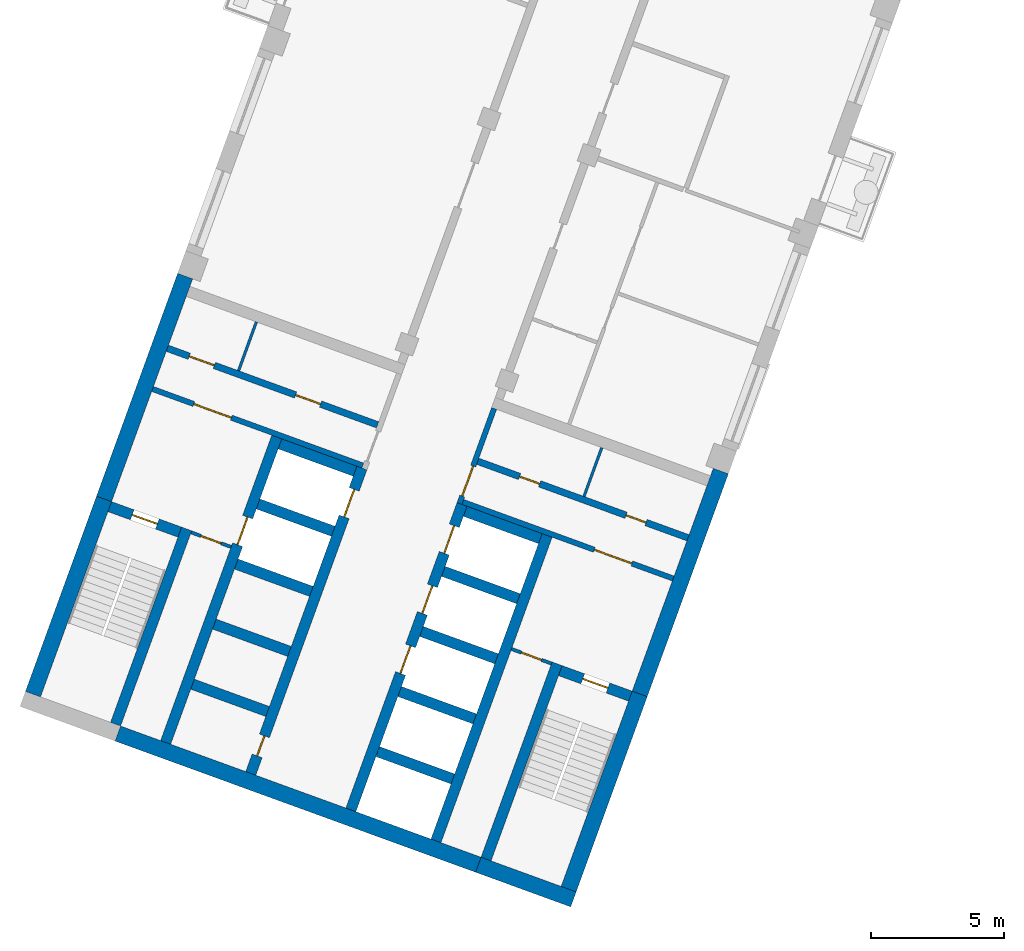
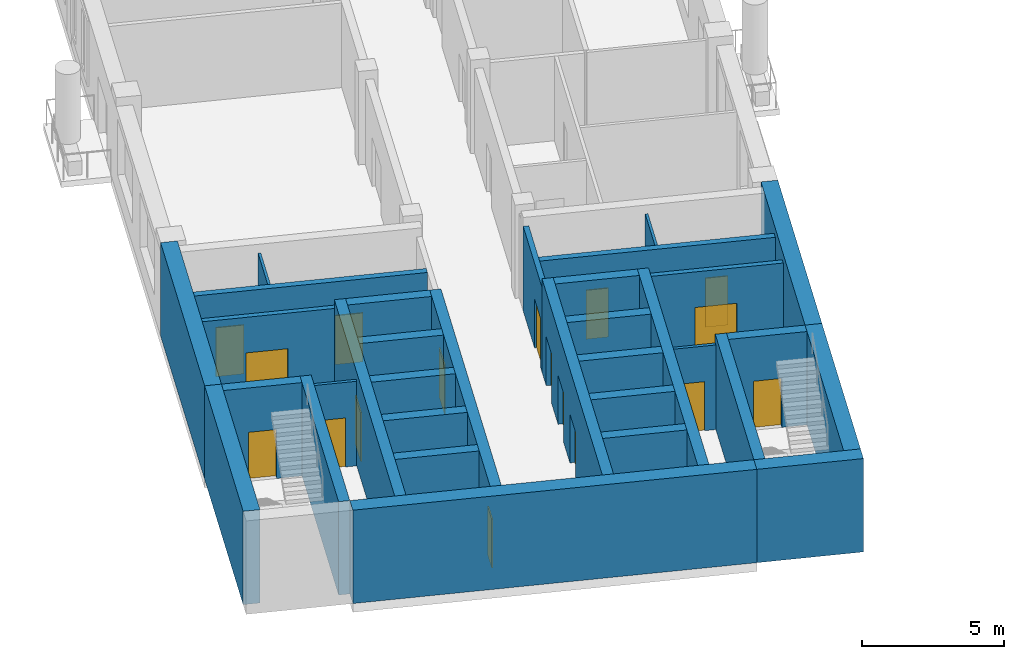
# One storey, part 4 of 18: 33 walls, 17 doors, 17 openings.
"""IFC4 building model written with IfcOpenShell, lengths in metres."""

from ifc_helpers import new_model, si_unit, direction, frame, frame_2d, origin, place, context, subcontext, project, spatial, rectangle, extrude, material, layer, layer_set, type_object, element, fill, save


model = new_model("IFC4")

# Units and contexts
model_context = context("Model", 3, precision=1e-05, world=origin(), true_north=direction((0.0, 1.0)))
body_context = subcontext(model_context, "Body", "Model", "MODEL_VIEW")
ifc_project = project(units=[si_unit("LENGTHUNIT", "METRE"), si_unit("AREAUNIT", "SQUARE_METRE"), si_unit("VOLUMEUNIT", "CUBIC_METRE"), si_unit("PLANEANGLEUNIT", "RADIAN"), si_unit("MASSUNIT", "GRAM", prefix="KILO")], contexts=[model_context])

# Site, building, storey
site_placement = place(None, origin())
site = spatial("IfcSite", under=ifc_project, at=site_placement, CompositionType="ELEMENT")
building_placement = place(site_placement, origin())
building = spatial("IfcBuilding", under=site, at=building_placement, Name="Skarvind Civic Tower", CompositionType="ELEMENT")
storey_placement = place(building_placement, frame((0.0, 0.0, 31.5)))
storey = spatial("IfcBuildingStorey", under=building, at=storey_placement, Name="L06", CompositionType="ELEMENT", Elevation=31.5)

# Wall, opening, door
ifc_material_1 = material(Name="Fire-rated masonry partition", Category="masonry")
ifc_layer_1 = layer(ifc_material_1, 0.199951171875)
ifc_layer_set_1 = layer_set([ifc_layer_1], Name="Core enclosure wall 200")
wall_type_1 = type_object("IfcWallType", Name="Core enclosure wall 200", PredefinedType="PARTITIONING", material=ifc_layer_set_1)
wall_1_placement = place(storey_placement, frame((23.5380859375, 96.6943359375, 0.0), z_axis=(0.0, 0.0, 1.0), x_axis=(0.939691552312, -0.342023078919, 0.0)))
wall_1 = element("IfcWall", 1, at=wall_1_placement, inside=storey, type_object=wall_type_1, Name="Core wall C2", PredefinedType="PARTITIONING", context=body_context, shape_type="SweptSolid", body=[
    extrude(rectangle(XDim=8.400146484375, YDim=0.199951171875, at=frame_2d((4.2001953125, 0.0))), origin(), (0.0, 0.0, 1.0), 3.625),
])
opening_1_placement = place(wall_1_placement, frame((1.64990234375, 0.0, 0.0)))
opening_1 = element("IfcOpeningElement", 2, at=opening_1_placement, cuts=wall_1, Name="Opening D-L06-C2-07", PredefinedType="OPENING", context=body_context, shape_type="SweptSolid", body=[
    extrude(rectangle(XDim=1.5, YDim=2.10009765625, at=frame_2d((0.75, 1.050048828125))), frame((0.0, 0.10986328125, 0.0), z_axis=(0.0, -1.0, 0.0), x_axis=(1.0, 0.0, 0.0)), (0.0, 0.0, 1.0), 0.219970703125),
])
ifc_material_2 = material(Name="Fire-rated steel door", Category="steel")
door_type_1 = type_object("IfcDoorType", Name="Fire door 1500", OperationType="NOTDEFINED", PredefinedType="DOOR", material=ifc_material_2)
door_1_placement = place(opening_1_placement, origin())
door_1 = element("IfcDoor", 3, at=door_1_placement, inside=storey, type_object=door_type_1, Name="Fire door", OperationType="DOUBLE_DOOR_SINGLE_SWING", OverallHeight=2.10009765625, OverallWidth=1.5, PredefinedType="DOOR", context=body_context, shape_type="SweptSolid", body=[
    extrude(rectangle(XDim=1.5, YDim=2.10009765625, at=frame_2d((0.75, 1.050048828125))), frame((0.0, 0.02490234375, 0.0), z_axis=(0.0, -1.0, 0.0), x_axis=(1.0, 0.0, 0.0)), (0.0, 0.0, 1.0), 0.050048828125),
])
fill(opening_1, door_1)

wall_2_placement = place(storey_placement, frame((36.36181640625, 95.96435546875, 0.0), z_axis=(0.0, 0.0, 1.0), x_axis=(-0.341995824804, -0.939701471648, 0.0)))
wall_2 = element("IfcWall", 4, at=wall_2_placement, inside=storey, type_object=wall_type_1, Name="Core wall C2", PredefinedType="PARTITIONING", context=body_context, shape_type="SweptSolid", body=[
    extrude(rectangle(XDim=3.800048828125, YDim=0.199951171875, at=frame_2d((1.89990234375, 0.0))), origin(), (0.0, 0.0, 1.0), 3.625),
])
opening_2_placement = place(wall_2_placement, frame((2.300048828125, 0.0, 0.0)))
opening_2 = element("IfcOpeningElement", 5, at=opening_2_placement, cuts=wall_2, Name="Opening D-L06-C2-12", PredefinedType="OPENING", context=body_context, shape_type="SweptSolid", body=[
    extrude(rectangle(XDim=1.199951171875, YDim=2.10009765625, at=frame_2d((0.60009765625, 1.050048828125))), frame((0.0, 0.10986328125, 0.0), z_axis=(0.0, -1.0, 0.0), x_axis=(1.0, 0.0, 0.0)), (0.0, 0.0, 1.0), 0.219970703125),
])
door_type_2 = type_object("IfcDoorType", Name="Core lobby door 1200", OperationType="NOTDEFINED", PredefinedType="DOOR", material=ifc_material_2)
door_2_placement = place(opening_2_placement, origin())
door_2 = element("IfcDoor", 6, at=door_2_placement, inside=storey, type_object=door_type_2, Name="Fire door", OperationType="DOUBLE_DOOR_SINGLE_SWING", OverallHeight=2.10009765625, OverallWidth=1.199951171875, PredefinedType="DOOR", context=body_context, shape_type="SweptSolid", body=[
    extrude(rectangle(XDim=1.199951171875, YDim=2.10009765625, at=frame_2d((0.60009765625, 1.050048828125))), frame((0.0, 0.02490234375, 0.0), z_axis=(0.0, -1.0, 0.0), x_axis=(1.0, 0.0, 0.0)), (0.0, 0.0, 1.0), 0.050048828125),
])
fill(opening_2, door_2)

wall_3_placement = place(storey_placement, frame((35.1904296875, 92.453369140625, 0.0), z_axis=(0.0, 0.0, 1.0), x_axis=(0.939691552312, -0.342023078919, 0.0)))
wall_3 = element("IfcWall", 7, at=wall_3_placement, inside=storey, type_object=wall_type_1, Name="Core wall C2", PredefinedType="PARTITIONING", context=body_context, shape_type="SweptSolid", body=[
    extrude(rectangle(XDim=8.400146484375, YDim=0.199951171875, at=frame_2d((4.2001953125, 0.0))), origin(), (0.0, 0.0, 1.0), 3.625),
])
opening_3_placement = place(wall_3_placement, frame((5.25, 0.0, 0.0)))
opening_3 = element("IfcOpeningElement", 8, at=opening_3_placement, cuts=wall_3, Name="Opening D-L06-C2-13", PredefinedType="OPENING", context=body_context, shape_type="SweptSolid", body=[
    extrude(rectangle(XDim=1.5, YDim=2.10009765625, at=frame_2d((0.75, 1.050048828125))), frame((0.0, 0.10986328125, 0.0), z_axis=(0.0, -1.0, 0.0), x_axis=(1.0, 0.0, 0.0)), (0.0, 0.0, 1.0), 0.219970703125),
])
door_3_placement = place(opening_3_placement, origin())
door_3 = element("IfcDoor", 9, at=door_3_placement, inside=storey, type_object=door_type_1, Name="Fire door", OperationType="DOUBLE_DOOR_SINGLE_SWING", OverallHeight=2.10009765625, OverallWidth=1.5, PredefinedType="DOOR", context=body_context, shape_type="SweptSolid", body=[
    extrude(rectangle(XDim=1.5, YDim=2.10009765625, at=frame_2d((0.75, 1.050048828125))), frame((0.0, 0.02490234375, 0.0), z_axis=(0.0, -1.0, 0.0), x_axis=(1.0, 0.0, 0.0)), (0.0, 0.0, 1.0), 0.050048828125),
])
fill(opening_3, door_3)

# Walls
ifc_material_3 = material(Name="Fire-rated plasterboard partition")
ifc_layer_2 = layer(ifc_material_3, 0.10009765625)
ifc_layer_set_2 = layer_set([ifc_layer_2], Name="Core partition wall 100")
wall_type_2 = type_object("IfcWallType", Name="Core partition wall 100", PredefinedType="PARTITIONING", material=ifc_layer_set_2)
wall_4_placement = place(storey_placement, frame((26.767822265625, 97.381103515625, 0.0), z_axis=(0.0, 0.0, 1.0), x_axis=(0.342024501273, 0.939691034611, 0.0)))
element("IfcWall", 10, at=wall_4_placement, inside=storey, type_object=wall_type_2, Name="Core wall C2", PredefinedType="PARTITIONING", context=body_context, shape_type="SweptSolid", body=[
    extrude(rectangle(XDim=1.9501953125, YDim=0.10009765625, at=frame_2d((0.97509765625, 0.0))), origin(), (0.0, 0.0, 1.0), 3.625),
])
wall_5_placement = place(storey_placement, frame((40.402587890625, 94.49365234375, 0.0), z_axis=(0.0, 0.0, 1.0), x_axis=(-0.342064742067, -0.939676386973, 0.0)))
element("IfcWall", 11, at=wall_5_placement, inside=storey, type_object=wall_type_2, Name="Core wall C2", PredefinedType="PARTITIONING", context=body_context, shape_type="SweptSolid", body=[
    extrude(rectangle(XDim=1.949951171875, YDim=0.10009765625, at=frame_2d((0.97509765625, 0.0))), origin(), (0.0, 0.0, 1.0), 3.625),
])
ifc_material_4 = material(Name="Concrete C80", Category="concrete")
ifc_layer_3 = layer(ifc_material_4, 0.39990234375)
ifc_layer_set_3 = layer_set([ifc_layer_3], Name="Core wall 400 C80")
wall_type_3 = type_object("IfcWallType", Name="Core wall 400 C80", PredefinedType="SHEAR", material=ifc_layer_set_3)
wall_6_placement = place(storey_placement, frame((36.057861328125, 79.04833984375, 0.0), z_axis=(0.0, 0.0, 1.0), x_axis=(0.342016982193, 0.939693771338, 0.0)))
element("IfcWall", 12, at=wall_6_placement, inside=storey, type_object=wall_type_3, Name="Core wall C2 south stair inner L06", PredefinedType="SHEAR", context=body_context, shape_type="SweptSolid", body=[
    extrude(rectangle(XDim=7.800048828125, YDim=0.39990234375, at=frame_2d((3.89990234375, 0.0))), origin(), (0.0, 0.0, 1.0), 4.0),
])

# Wall, opening, door
wall_7_placement = place(storey_placement, frame((41.476318359375, 85.163818359375, 0.0), z_axis=(0.0, 0.0, 1.0), x_axis=(-0.939678810556, 0.342058084236, 0.0)))
wall_7 = element("IfcWall", 13, at=wall_7_placement, inside=storey, type_object=wall_type_3, Name="Core wall C2 south stair end L06", PredefinedType="SHEAR", context=body_context, shape_type="SweptSolid", body=[
    extrude(rectangle(XDim=2.800048828125, YDim=0.39990234375, at=frame_2d((1.39990234375, 0.0))), origin(), (0.0, 0.0, 1.0), 4.0),
])
opening_4_placement = place(wall_7_placement, frame((0.89990234375, 0.0, 0.0)))
opening_4 = element("IfcOpeningElement", 14, at=opening_4_placement, cuts=wall_7, Name="Opening D-L06-C2-14", PredefinedType="OPENING", context=body_context, shape_type="SweptSolid", body=[
    extrude(rectangle(XDim=1.0, YDim=2.10009765625, at=frame_2d((0.5, 1.050048828125))), frame((0.0, 0.2099609375, 0.0), z_axis=(0.0, -1.0, 0.0), x_axis=(1.0, 0.0, 0.0)), (0.0, 0.0, 1.0), 0.419921875),
])
door_type_3 = type_object("IfcDoorType", Name="Fire door 1000", OperationType="NOTDEFINED", PredefinedType="DOOR", material=ifc_material_2)
door_4_placement = place(opening_4_placement, origin())
door_4 = element("IfcDoor", 15, at=door_4_placement, inside=storey, type_object=door_type_3, Name="Fire door", OperationType="SINGLE_SWING_RIGHT", OverallHeight=2.10009765625, OverallWidth=1.0, PredefinedType="DOOR", context=body_context, shape_type="SweptSolid", body=[
    extrude(rectangle(XDim=1.0, YDim=2.10009765625, at=frame_2d((0.5, 1.050048828125))), frame((0.0, 0.02490234375, 0.0), z_axis=(0.0, -1.0, 0.0), x_axis=(1.0, 0.0, 0.0)), (0.0, 0.0, 1.0), 0.050048828125),
])
fill(opening_4, door_4)

# Wall
wall_8_placement = place(storey_placement, frame((22.150390625, 84.110107421875, 0.0), z_axis=(0.0, 0.0, 1.0), x_axis=(0.342016982193, 0.939693771338, 0.0)))
element("IfcWall", 16, at=wall_8_placement, inside=storey, type_object=wall_type_3, Name="Core wall C2 north stair inner L06", PredefinedType="SHEAR", context=body_context, shape_type="SweptSolid", body=[
    extrude(rectangle(XDim=7.800048828125, YDim=0.39990234375, at=frame_2d((3.89990234375, 0.0))), origin(), (0.0, 0.0, 1.0), 4.0),
])

# Wall, opening, door
wall_9_placement = place(storey_placement, frame((24.56201171875, 91.3203125, 0.0), z_axis=(0.0, 0.0, 1.0), x_axis=(-0.939717030584, 0.341953070509, 0.0)))
wall_9 = element("IfcWall", 17, at=wall_9_placement, inside=storey, type_object=wall_type_3, Name="Core wall C2 north stair end L06", PredefinedType="SHEAR", context=body_context, shape_type="SweptSolid", body=[
    extrude(rectangle(XDim=2.800048828125, YDim=0.39990234375, at=frame_2d((1.39990234375, 0.0))), origin(), (0.0, 0.0, 1.0), 4.0),
])
opening_5_placement = place(wall_9_placement, frame((0.89990234375, 0.0, 0.0)))
opening_5 = element("IfcOpeningElement", 18, at=opening_5_placement, cuts=wall_9, Name="Opening D-L06-C2-08", PredefinedType="OPENING", context=body_context, shape_type="SweptSolid", body=[
    extrude(rectangle(XDim=1.0, YDim=2.10009765625, at=frame_2d((0.5, 1.050048828125))), frame((0.0, 0.2099609375, 0.0), z_axis=(0.0, -1.0, 0.0), x_axis=(1.0, 0.0, 0.0)), (0.0, 0.0, 1.0), 0.419921875),
])
door_5_placement = place(opening_5_placement, origin())
door_5 = element("IfcDoor", 19, at=door_5_placement, inside=storey, type_object=door_type_3, Name="Fire door", OperationType="SINGLE_SWING_LEFT", OverallHeight=2.10009765625, OverallWidth=1.0, PredefinedType="DOOR", context=body_context, shape_type="SweptSolid", body=[
    extrude(rectangle(XDim=1.0, YDim=2.10009765625, at=frame_2d((0.5, 1.050048828125))), frame((0.0, 0.02490234375, 0.0), z_axis=(0.0, -1.0, 0.0), x_axis=(1.0, 0.0, 0.0)), (0.0, 0.0, 1.0), 0.050048828125),
])
fill(opening_5, door_5)

# Wall, openings, doors
wall_10_placement = place(storey_placement, frame((30.983642578125, 80.895263671875, 0.0), z_axis=(0.0, 0.0, 1.0), x_axis=(0.342021021735, 0.939692301071, 0.0)))
wall_10 = element("IfcWall", 20, at=wall_10_placement, inside=storey, type_object=wall_type_3, Name="Core wall C2 south lift row front L06", PredefinedType="SHEAR", context=body_context, shape_type="SweptSolid", body=[
    extrude(rectangle(XDim=12.199951171875, YDim=0.39990234375, at=frame_2d((6.10009765625, 0.0))), origin(), (0.0, 0.0, 1.0), 4.0),
])
opening_6_placement = place(wall_10_placement, frame((5.449951171875, 0.0, 0.0)))
opening_6 = element("IfcOpeningElement", 21, at=opening_6_placement, cuts=wall_10, Name="Opening LD08208", PredefinedType="OPENING", context=body_context, shape_type="SweptSolid", body=[
    extrude(rectangle(XDim=1.10009765625, YDim=2.10009765625, at=frame_2d((0.550048828125, 1.050048828125))), frame((0.0, 0.2099609375, 0.0), z_axis=(0.0, -1.0, 0.0), x_axis=(1.0, 0.0, 0.0)), (0.0, 0.0, 1.0), 0.419921875),
])
opening_7_placement = place(wall_10_placement, frame((7.85009765625, 0.0, 0.0)))
opening_7 = element("IfcOpeningElement", 22, at=opening_7_placement, cuts=wall_10, Name="Opening LD08209", PredefinedType="OPENING", context=body_context, shape_type="SweptSolid", body=[
    extrude(rectangle(XDim=1.10009765625, YDim=2.10009765625, at=frame_2d((0.550048828125, 1.050048828125))), frame((0.0, 0.2099609375, 0.0), z_axis=(0.0, -1.0, 0.0), x_axis=(1.0, 0.0, 0.0)), (0.0, 0.0, 1.0), 0.419921875),
])
opening_8_placement = place(wall_10_placement, frame((10.25, 0.0, 0.0)))
opening_8 = element("IfcOpeningElement", 23, at=opening_8_placement, cuts=wall_10, Name="Opening LD08210", PredefinedType="OPENING", context=body_context, shape_type="SweptSolid", body=[
    extrude(rectangle(XDim=1.10009765625, YDim=2.10009765625, at=frame_2d((0.550048828125, 1.050048828125))), frame((0.0, 0.2099609375, 0.0), z_axis=(0.0, -1.0, 0.0), x_axis=(1.0, 0.0, 0.0)), (0.0, 0.0, 1.0), 0.419921875),
])
ifc_material_5 = material(Name="Stainless steel landing door", Category="steel")
door_type_4 = type_object("IfcDoorType", Name="Lift landing door 1100", OperationType="DOUBLE_DOOR_SLIDING", PredefinedType="DOOR", material=ifc_material_5)
door_6_placement = place(opening_6_placement, origin())
door_6 = element("IfcDoor", 24, at=door_6_placement, inside=storey, type_object=door_type_4, Name="Lift landing door", OperationType="DOUBLE_DOOR_SLIDING", OverallHeight=2.10009765625, OverallWidth=1.10009765625, PredefinedType="DOOR", context=body_context, shape_type="SweptSolid", body=[
    extrude(rectangle(XDim=1.10009765625, YDim=2.10009765625, at=frame_2d((0.550048828125, 1.050048828125))), frame((0.0, 0.02490234375, 0.0), z_axis=(0.0, -1.0, 0.0), x_axis=(1.0, 0.0, 0.0)), (0.0, 0.0, 1.0), 0.050048828125),
])
fill(opening_6, door_6)
door_7_placement = place(opening_7_placement, origin())
door_7 = element("IfcDoor", 25, at=door_7_placement, inside=storey, type_object=door_type_4, Name="Lift landing door", OperationType="DOUBLE_DOOR_SLIDING", OverallHeight=2.10009765625, OverallWidth=1.10009765625, PredefinedType="DOOR", context=body_context, shape_type="SweptSolid", body=[
    extrude(rectangle(XDim=1.10009765625, YDim=2.10009765625, at=frame_2d((0.550048828125, 1.050048828125))), frame((0.0, 0.02490234375, 0.0), z_axis=(0.0, -1.0, 0.0), x_axis=(1.0, 0.0, 0.0)), (0.0, 0.0, 1.0), 0.050048828125),
])
fill(opening_7, door_7)
door_8_placement = place(opening_8_placement, origin())
door_8 = element("IfcDoor", 26, at=door_8_placement, inside=storey, type_object=door_type_4, Name="Lift landing door", OperationType="DOUBLE_DOOR_SLIDING", OverallHeight=2.10009765625, OverallWidth=1.10009765625, PredefinedType="DOOR", context=body_context, shape_type="SweptSolid", body=[
    extrude(rectangle(XDim=1.10009765625, YDim=2.10009765625, at=frame_2d((0.550048828125, 1.050048828125))), frame((0.0, 0.02490234375, 0.0), z_axis=(0.0, -1.0, 0.0), x_axis=(1.0, 0.0, 0.0)), (0.0, 0.0, 1.0), 0.050048828125),
])
fill(opening_8, door_8)

# Walls
wall_11_placement = place(storey_placement, frame((34.178466796875, 79.732177734375, 0.0), z_axis=(0.0, 0.0, 1.0), x_axis=(0.342014590177, 0.939694641948, 0.0)))
element("IfcWall", 27, at=wall_11_placement, inside=storey, type_object=wall_type_3, Name="Core wall C2 south lift row back L06", PredefinedType="SHEAR", context=body_context, shape_type="SweptSolid", body=[
    extrude(rectangle(XDim=12.2001953125, YDim=0.39990234375, at=frame_2d((6.10009765625, 0.0))), origin(), (0.0, 0.0, 1.0), 4.0),
])
for number, where, z_axis, x_axis, name in (
    (28, (34.8115234375, 82.055908203125, 0.0), (0.0, 0.0, 1.0), (-0.939686455819, 0.342037080957, 0.0), "Core wall C2 south lift row division 1 L06"),
    (29, (35.63232421875, 84.311279296875, 0.0), (0.0, 0.0, 1.0), (-0.939712609717, 0.341965219194, 0.0), "Core wall C2 south lift row division 2 L06"),
    (30, (36.453125, 86.56640625, 0.0), (0.0, 0.0, 1.0), (-0.939686455819, 0.342037080957, 0.0), "Core wall C2 south lift row division 3 L06"),
    (31, (37.27392578125, 88.82177734375, 0.0), (0.0, 0.0, 1.0), (-0.939686455819, 0.342037080957, 0.0), "Core wall C2 south lift row division 4 L06"),
):
    element("IfcWall", number, at=place(storey_placement, frame(where, z_axis=z_axis, x_axis=x_axis)), inside=storey, type_object=wall_type_3, Name=name, PredefinedType="SHEAR", context=body_context, shape_type="SweptSolid", body=[
        extrude(rectangle(XDim=3.0, YDim=0.39990234375, at=frame_2d((1.5, 0.0))), origin(), (0.0, 0.0, 1.0), 4.0),
    ])
wall_12_placement = place(storey_placement, frame((38.0947265625, 91.076904296875, 0.0), z_axis=(0.0, 0.0, 1.0), x_axis=(-0.939676934218, 0.342063238742, 0.0)))
element("IfcWall", 32, at=wall_12_placement, inside=storey, type_object=wall_type_3, Name="Core wall C2 south lift row division 5 L06", PredefinedType="SHEAR", context=body_context, shape_type="SweptSolid", body=[
    extrude(rectangle(XDim=2.999755859375, YDim=0.39990234375, at=frame_2d((1.5, 0.0))), origin(), (0.0, 0.0, 1.0), 4.0),
])

# Wall, openings, doors
wall_13_placement = place(storey_placement, frame((27.224853515625, 82.26318359375, 0.0), z_axis=(0.0, 0.0, 1.0), x_axis=(0.342014590177, 0.939694641948, 0.0)))
wall_13 = element("IfcWall", 33, at=wall_13_placement, inside=storey, type_object=wall_type_3, Name="Core wall C2 north lift row front L06", PredefinedType="SHEAR", context=body_context, shape_type="SweptSolid", body=[
    extrude(rectangle(XDim=12.2001953125, YDim=0.39990234375, at=frame_2d((6.10009765625, 0.0))), origin(), (0.0, 0.0, 1.0), 4.0),
])
opening_9_placement = place(wall_13_placement, frame((10.25, 0.0, 0.0)))
opening_9 = element("IfcOpeningElement", 34, at=opening_9_placement, cuts=wall_13, Name="Opening LD08205", PredefinedType="OPENING", context=body_context, shape_type="SweptSolid", body=[
    extrude(rectangle(XDim=1.10009765625, YDim=2.10009765625, at=frame_2d((0.550048828125, 1.050048828125))), frame((0.0, 0.2099609375, 0.0), z_axis=(0.0, -1.0, 0.0), x_axis=(1.0, 0.0, 0.0)), (0.0, 0.0, 1.0), 0.419921875),
])
opening_10_placement = place(wall_13_placement, frame((0.699951171875, 0.0, 0.0)))
opening_10 = element("IfcOpeningElement", 35, at=opening_10_placement, cuts=wall_13, Name="Opening D-L06-C2-05", PredefinedType="OPENING", context=body_context, shape_type="SweptSolid", body=[
    extrude(rectangle(XDim=0.800048828125, YDim=2.10009765625, at=frame_2d((0.39990234375, 1.050048828125))), frame((0.0, 0.2099609375, 0.0), z_axis=(0.0, -1.0, 0.0), x_axis=(1.0, 0.0, 0.0)), (0.0, 0.0, 1.0), 0.419921875),
])
door_type_5 = type_object("IfcDoorType", Name="Core riser door 800", OperationType="NOTDEFINED", PredefinedType="DOOR", material=ifc_material_2)
door_9_placement = place(opening_10_placement, origin())
door_9 = element("IfcDoor", 36, at=door_9_placement, inside=storey, type_object=door_type_5, Name="Riser door", OperationType="SINGLE_SWING_LEFT", OverallHeight=2.10009765625, OverallWidth=0.800048828125, PredefinedType="DOOR", context=body_context, shape_type="SweptSolid", body=[
    extrude(rectangle(XDim=0.800048828125, YDim=2.10009765625, at=frame_2d((0.39990234375, 1.050048828125))), frame((0.0, 0.02490234375, 0.0), z_axis=(0.0, -1.0, 0.0), x_axis=(1.0, 0.0, 0.0)), (0.0, 0.0, 1.0), 0.050048828125),
])
fill(opening_10, door_9)
door_10_placement = place(opening_9_placement, origin())
door_10 = element("IfcDoor", 37, at=door_10_placement, inside=storey, type_object=door_type_4, Name="Lift landing door", OperationType="DOUBLE_DOOR_SLIDING", OverallHeight=2.10009765625, OverallWidth=1.10009765625, PredefinedType="DOOR", context=body_context, shape_type="SweptSolid", body=[
    extrude(rectangle(XDim=1.10009765625, YDim=2.10009765625, at=frame_2d((0.550048828125, 1.050048828125))), frame((0.0, 0.02490234375, 0.0), z_axis=(0.0, -1.0, 0.0), x_axis=(1.0, 0.0, 0.0)), (0.0, 0.0, 1.0), 0.050048828125),
])
fill(opening_9, door_10)

# Wall, opening, door
wall_14_placement = place(storey_placement, frame((24.02978515625, 83.426025390625, 0.0), z_axis=(0.0, 0.0, 1.0), x_axis=(0.342014590177, 0.939694641948, 0.0)))
wall_14 = element("IfcWall", 38, at=wall_14_placement, inside=storey, type_object=wall_type_3, Name="Core wall C2 north lift row back L06", PredefinedType="SHEAR", context=body_context, shape_type="SweptSolid", body=[
    extrude(rectangle(XDim=12.2001953125, YDim=0.39990234375, at=frame_2d((6.10009765625, 0.0))), origin(), (0.0, 0.0, 1.0), 4.0),
])
opening_11_placement = place(wall_14_placement, frame((7.89990234375, 0.0, 0.0)))
opening_11 = element("IfcOpeningElement", 39, at=opening_11_placement, cuts=wall_14, Name="Opening LD08204", PredefinedType="OPENING", context=body_context, shape_type="SweptSolid", body=[
    extrude(rectangle(XDim=1.10009765625, YDim=2.10009765625, at=frame_2d((0.550048828125, 1.050048828125))), frame((0.0, 0.2099609375, 0.0), z_axis=(0.0, -1.0, 0.0), x_axis=(1.0, 0.0, 0.0)), (0.0, 0.0, 1.0), 0.419921875),
])
door_11_placement = place(opening_11_placement, origin())
door_11 = element("IfcDoor", 40, at=door_11_placement, inside=storey, type_object=door_type_4, Name="Lift landing door", OperationType="DOUBLE_DOOR_SLIDING", OverallHeight=2.10009765625, OverallWidth=1.10009765625, PredefinedType="DOOR", context=body_context, shape_type="SweptSolid", body=[
    extrude(rectangle(XDim=1.10009765625, YDim=2.10009765625, at=frame_2d((0.550048828125, 1.050048828125))), frame((0.0, 0.02490234375, 0.0), z_axis=(0.0, -1.0, 0.0), x_axis=(1.0, 0.0, 0.0)), (0.0, 0.0, 1.0), 0.050048828125),
])
fill(opening_11, door_11)

# Walls
wall_15_placement = place(storey_placement, frame((27.857666015625, 84.5869140625, 0.0), z_axis=(0.0, 0.0, 1.0), x_axis=(-0.939686455819, 0.342037080957, 0.0)))
element("IfcWall", 41, at=wall_15_placement, inside=storey, type_object=wall_type_3, Name="Core wall C2 north lift row division 1 L06", PredefinedType="SHEAR", context=body_context, shape_type="SweptSolid", body=[
    extrude(rectangle(XDim=3.0, YDim=0.39990234375, at=frame_2d((1.5, 0.0))), origin(), (0.0, 0.0, 1.0), 4.0),
])
wall_16_placement = place(storey_placement, frame((28.678466796875, 86.842041015625, 0.0), z_axis=(0.0, 0.0, 1.0), x_axis=(-0.939676934218, 0.342063238742, 0.0)))
element("IfcWall", 42, at=wall_16_placement, inside=storey, type_object=wall_type_3, Name="Core wall C2 north lift row division 2 L06", PredefinedType="SHEAR", context=body_context, shape_type="SweptSolid", body=[
    extrude(rectangle(XDim=2.999755859375, YDim=0.39990234375, at=frame_2d((1.5, 0.0))), origin(), (0.0, 0.0, 1.0), 4.0),
])
for number, where, z_axis, x_axis, name in (
    (43, (29.49951171875, 89.097412109375, 0.0), (0.0, 0.0, 1.0), (-0.939686455819, 0.342037080957, 0.0), "Core wall C2 north lift row division 3 L06"),
    (44, (30.3203125, 91.352783203125, 0.0), (0.0, 0.0, 1.0), (-0.939712609717, 0.341965219194, 0.0), "Core wall C2 north lift row division 4 L06"),
    (45, (31.14111328125, 93.60791015625, 0.0), (0.0, 0.0, 1.0), (-0.939686455819, 0.342037080957, 0.0), "Core wall C2 north lift row division 5 L06"),
):
    element("IfcWall", number, at=place(storey_placement, frame(where, z_axis=z_axis, x_axis=x_axis)), inside=storey, type_object=wall_type_3, Name=name, PredefinedType="SHEAR", context=body_context, shape_type="SweptSolid", body=[
        extrude(rectangle(XDim=3.0, YDim=0.39990234375, at=frame_2d((1.5, 0.0))), origin(), (0.0, 0.0, 1.0), 4.0),
    ])
ifc_layer_4 = layer(ifc_material_4, 0.60009765625)
ifc_layer_set_4 = layer_set([ifc_layer_4], Name="Core wall 600 C80")
wall_type_4 = type_object("IfcWallType", Name="Core wall 600 C80", PredefinedType="SHEAR", material=ifc_layer_set_4)
wall_17_placement = place(storey_placement, frame((39.338134765625, 77.53515625, 0.0), z_axis=(0.0, 0.0, 1.0), x_axis=(-0.939701471648, 0.341995824804, 0.0)))
element("IfcWall", 46, at=wall_17_placement, inside=storey, type_object=wall_type_4, Name="Core wall C2 tip at the south stair L06", PredefinedType="SHEAR", context=body_context, shape_type="SweptSolid", body=[
    extrude(rectangle(XDim=3.800048828125, YDim=0.60009765625, at=frame_2d((1.89990234375, 0.0))), origin(), (0.0, 0.0, 1.0), 4.0),
])
wall_18_placement = place(storey_placement, frame((35.767333984375, 78.834716796875, 0.0), z_axis=(0.0, 0.0, 1.0), x_axis=(-0.939692894512, 0.342019391267, 0.0)))
element("IfcWall", 47, at=wall_18_placement, inside=storey, type_object=wall_type_4, Name="Core wall C2 tip between the stairs L06", PredefinedType="SHEAR", context=body_context, shape_type="SweptSolid", body=[
    extrude(rectangle(XDim=14.39990234375, YDim=0.60009765625, at=frame_2d((7.199951171875, 0.0))), origin(), (0.0, 0.0, 1.0), 4.0),
])
for number, where, z_axis, x_axis, name in (
    (48, (39.158935546875, 77.919677734375, 0.0), (0.0, 0.0, 1.0), (0.342016982193, 0.939693771338, 0.0), "Core wall C2 south side at the stair L06"),
    (49, (19.049560546875, 85.23876953125, 0.0), (0.0, 0.0, 1.0), (0.342016982193, 0.939693771338, 0.0), "Core wall C2 north side at the stair L06"),
):
    element("IfcWall", number, at=place(storey_placement, frame(where, z_axis=z_axis, x_axis=x_axis)), inside=storey, type_object=wall_type_4, Name=name, PredefinedType="SHEAR", context=body_context, shape_type="SweptSolid", body=[
        extrude(rectangle(XDim=7.800048828125, YDim=0.60009765625, at=frame_2d((3.89990234375, 0.0))), origin(), (0.0, 0.0, 1.0), 4.0),
    ])
for number, where, z_axis, x_axis, name in (
    (50, (41.82666015625, 85.249267578125, 0.0), (0.0, 0.0, 1.0), (0.342016162452, 0.939694069696, 0.0), "Core wall C2 south side L06"),
    (51, (21.71728515625, 92.568359375, 0.0), (0.0, 0.0, 1.0), (0.342016162452, 0.939694069696, 0.0), "Core wall C2 north side L06"),
):
    element("IfcWall", number, at=place(storey_placement, frame(where, z_axis=z_axis, x_axis=x_axis)), inside=storey, type_object=wall_type_4, Name=name, PredefinedType="SHEAR", context=body_context, shape_type="SweptSolid", body=[
        extrude(rectangle(XDim=8.89990234375, YDim=0.60009765625, at=frame_2d((4.449951171875, 0.0))), origin(), (0.0, 0.0, 1.0), 4.0),
    ])

# Wall, opening, door
ifc_layer_5 = layer(ifc_material_1, 0.125)
ifc_layer_set_5 = layer_set([ifc_layer_5], Name="Riser wall 125")
wall_type_5 = type_object("IfcWallType", Name="Riser wall 125", PredefinedType="PARTITIONING", material=ifc_layer_set_5)
wall_19_placement = place(storey_placement, frame((24.98486328125, 91.3125, 0.0), z_axis=(0.0, 0.0, 1.0), x_axis=(0.939708740826, -0.341975850632, 0.0)))
wall_19 = element("IfcWall", 52, at=wall_19_placement, inside=storey, type_object=wall_type_5, Name="Core wall C2", PredefinedType="PARTITIONING", context=body_context, shape_type="SweptSolid", body=[
    extrude(rectangle(XDim=1.599853515625, YDim=0.125, at=frame_2d((0.7998046875, 0.0))), origin(), (0.0, 0.0, 1.0), 3.625),
])
opening_12_placement = place(wall_19_placement, frame((0.39990234375, 0.0, 0.0)))
opening_12 = element("IfcOpeningElement", 53, at=opening_12_placement, cuts=wall_19, Name="Opening D-L06-C2-09", PredefinedType="OPENING", context=body_context, shape_type="SweptSolid", body=[
    extrude(rectangle(XDim=0.800048828125, YDim=2.10009765625, at=frame_2d((0.39990234375, 1.050048828125))), frame((0.0, 0.072509765625, 0.0), z_axis=(0.0, -1.0, 0.0), x_axis=(1.0, 0.0, 0.0)), (0.0, 0.0, 1.0), 0.14501953125),
])
door_12_placement = place(opening_12_placement, origin())
door_12 = element("IfcDoor", 54, at=door_12_placement, inside=storey, type_object=door_type_5, Name="Riser door", OperationType="SINGLE_SWING_RIGHT", OverallHeight=2.10009765625, OverallWidth=0.800048828125, PredefinedType="DOOR", context=body_context, shape_type="SweptSolid", body=[
    extrude(rectangle(XDim=0.800048828125, YDim=2.10009765625, at=frame_2d((0.39990234375, 1.050048828125))), frame((0.0, 0.02490234375, 0.0), z_axis=(0.0, -1.0, 0.0), x_axis=(1.0, 0.0, 0.0)), (0.0, 0.0, 1.0), 0.050048828125),
])
fill(opening_12, door_12)

wall_20_placement = place(storey_placement, frame((37.012939453125, 86.934814453125, 0.0), z_axis=(0.0, 0.0, 1.0), x_axis=(0.939659694648, -0.342110593602, 0.0)))
wall_20 = element("IfcWall", 55, at=wall_20_placement, inside=storey, type_object=wall_type_5, Name="Core wall C2", PredefinedType="PARTITIONING", context=body_context, shape_type="SweptSolid", body=[
    extrude(rectangle(XDim=1.599853515625, YDim=0.125, at=frame_2d((0.7998046875, 0.0))), origin(), (0.0, 0.0, 1.0), 3.625),
])
opening_13_placement = place(wall_20_placement, frame((0.39990234375, 0.0, 0.0)))
opening_13 = element("IfcOpeningElement", 56, at=opening_13_placement, cuts=wall_20, Name="Opening D-L06-C2-15", PredefinedType="OPENING", context=body_context, shape_type="SweptSolid", body=[
    extrude(rectangle(XDim=0.800048828125, YDim=2.10009765625, at=frame_2d((0.39990234375, 1.050048828125))), frame((0.0, 0.072509765625, 0.0), z_axis=(0.0, -1.0, 0.0), x_axis=(1.0, 0.0, 0.0)), (0.0, 0.0, 1.0), 0.14501953125),
])
door_13_placement = place(opening_13_placement, origin())
door_13 = element("IfcDoor", 57, at=door_13_placement, inside=storey, type_object=door_type_5, Name="Riser door", OperationType="SINGLE_SWING_LEFT", OverallHeight=2.10009765625, OverallWidth=0.800048828125, PredefinedType="DOOR", context=body_context, shape_type="SweptSolid", body=[
    extrude(rectangle(XDim=0.800048828125, YDim=2.10009765625, at=frame_2d((0.39990234375, 1.050048828125))), frame((0.0, 0.02490234375, 0.0), z_axis=(0.0, -1.0, 0.0), x_axis=(1.0, 0.0, 0.0)), (0.0, 0.0, 1.0), 0.050048828125),
])
fill(opening_13, door_13)

# Wall, openings, doors
ifc_layer_6 = layer(ifc_material_1, 0.25)
ifc_layer_set_6 = layer_set([ifc_layer_6], Name="Service block wall 250")
wall_type_6 = type_object("IfcWallType", Name="Service block wall 250", PredefinedType="PARTITIONING", material=ifc_layer_set_6)
wall_21_placement = place(storey_placement, frame((24.093994140625, 98.221435546875, 0.0), z_axis=(0.0, 0.0, 1.0), x_axis=(0.939691552312, -0.342023078919, 0.0)))
wall_21 = element("IfcWall", 58, at=wall_21_placement, inside=storey, type_object=wall_type_6, Name="Core wall C2", PredefinedType="PARTITIONING", context=body_context, shape_type="SweptSolid", body=[
    extrude(rectangle(XDim=8.400146484375, YDim=0.25, at=frame_2d((4.2001953125, 0.0))), origin(), (0.0, 0.0, 1.0), 3.625),
])
opening_14_placement = place(wall_21_placement, frame((5.125, 0.0, 0.0)))
opening_14 = element("IfcOpeningElement", 59, at=opening_14_placement, cuts=wall_21, Name="Opening D-L06-C2-10", PredefinedType="OPENING", context=body_context, shape_type="SweptSolid", body=[
    extrude(rectangle(XDim=1.0, YDim=2.10009765625, at=frame_2d((0.5, 1.050048828125))), frame((0.0, 0.135009765625, 0.0), z_axis=(0.0, -1.0, 0.0), x_axis=(1.0, 0.0, 0.0)), (0.0, 0.0, 1.0), 0.27001953125),
])
opening_15_placement = place(wall_21_placement, frame((0.875, 0.0, 0.0)))
opening_15 = element("IfcOpeningElement", 60, at=opening_15_placement, cuts=wall_21, Name="Opening D-L06-C2-11", PredefinedType="OPENING", context=body_context, shape_type="SweptSolid", body=[
    extrude(rectangle(XDim=1.0, YDim=2.10009765625, at=frame_2d((0.5, 1.050048828125))), frame((0.0, 0.135009765625, 0.0), z_axis=(0.0, -1.0, 0.0), x_axis=(1.0, 0.0, 0.0)), (0.0, 0.0, 1.0), 0.27001953125),
])
door_14_placement = place(opening_14_placement, origin())
door_14 = element("IfcDoor", 61, at=door_14_placement, inside=storey, type_object=door_type_3, Name="Fire door", OperationType="SINGLE_SWING_LEFT", OverallHeight=2.10009765625, OverallWidth=1.0, PredefinedType="DOOR", context=body_context, shape_type="SweptSolid", body=[
    extrude(rectangle(XDim=1.0, YDim=2.10009765625, at=frame_2d((0.5, 1.050048828125))), frame((0.0, 0.02490234375, 0.0), z_axis=(0.0, -1.0, 0.0), x_axis=(1.0, 0.0, 0.0)), (0.0, 0.0, 1.0), 0.050048828125),
])
fill(opening_14, door_14)
door_15_placement = place(opening_15_placement, origin())
door_15 = element("IfcDoor", 62, at=door_15_placement, inside=storey, type_object=door_type_3, Name="Fire door", OperationType="SINGLE_SWING_RIGHT", OverallHeight=2.10009765625, OverallWidth=1.0, PredefinedType="DOOR", context=body_context, shape_type="SweptSolid", body=[
    extrude(rectangle(XDim=1.0, YDim=2.10009765625, at=frame_2d((0.5, 1.050048828125))), frame((0.0, 0.02490234375, 0.0), z_axis=(0.0, -1.0, 0.0), x_axis=(1.0, 0.0, 0.0)), (0.0, 0.0, 1.0), 0.050048828125),
])
fill(opening_15, door_15)

wall_22_placement = place(storey_placement, frame((35.74609375, 93.98046875, 0.0), z_axis=(0.0, 0.0, 1.0), x_axis=(0.939691552312, -0.342023078919, 0.0)))
wall_22 = element("IfcWall", 63, at=wall_22_placement, inside=storey, type_object=wall_type_6, Name="Core wall C2", PredefinedType="PARTITIONING", context=body_context, shape_type="SweptSolid", body=[
    extrude(rectangle(XDim=8.400146484375, YDim=0.25, at=frame_2d((4.2001953125, 0.0))), origin(), (0.0, 0.0, 1.0), 3.625),
])
opening_16_placement = place(wall_22_placement, frame((1.675048828125, 0.0, 0.0)))
opening_16 = element("IfcOpeningElement", 64, at=opening_16_placement, cuts=wall_22, Name="Opening D-L06-C2-16", PredefinedType="OPENING", context=body_context, shape_type="SweptSolid", body=[
    extrude(rectangle(XDim=0.800048828125, YDim=2.10009765625, at=frame_2d((0.39990234375, 1.050048828125))), frame((0.0, 0.135009765625, 0.0), z_axis=(0.0, -1.0, 0.0), x_axis=(1.0, 0.0, 0.0)), (0.0, 0.0, 1.0), 0.27001953125),
])
opening_17_placement = place(wall_22_placement, frame((5.925048828125, 0.0, 0.0)))
opening_17 = element("IfcOpeningElement", 65, at=opening_17_placement, cuts=wall_22, Name="Opening D-L06-C2-17", PredefinedType="OPENING", context=body_context, shape_type="SweptSolid", body=[
    extrude(rectangle(XDim=0.800048828125, YDim=2.10009765625, at=frame_2d((0.39990234375, 1.050048828125))), frame((0.0, 0.135009765625, 0.0), z_axis=(0.0, -1.0, 0.0), x_axis=(1.0, 0.0, 0.0)), (0.0, 0.0, 1.0), 0.27001953125),
])
door_16_placement = place(opening_16_placement, origin())
door_16 = element("IfcDoor", 66, at=door_16_placement, inside=storey, type_object=door_type_5, Name="Riser door", OperationType="SINGLE_SWING_RIGHT", OverallHeight=2.10009765625, OverallWidth=0.800048828125, PredefinedType="DOOR", context=body_context, shape_type="SweptSolid", body=[
    extrude(rectangle(XDim=0.800048828125, YDim=2.10009765625, at=frame_2d((0.39990234375, 1.050048828125))), frame((0.0, 0.02490234375, 0.0), z_axis=(0.0, -1.0, 0.0), x_axis=(1.0, 0.0, 0.0)), (0.0, 0.0, 1.0), 0.050048828125),
])
fill(opening_16, door_16)
door_17_placement = place(opening_17_placement, origin())
door_17 = element("IfcDoor", 67, at=door_17_placement, inside=storey, type_object=door_type_5, Name="Riser door", OperationType="SINGLE_SWING_LEFT", OverallHeight=2.10009765625, OverallWidth=0.800048828125, PredefinedType="DOOR", context=body_context, shape_type="SweptSolid", body=[
    extrude(rectangle(XDim=0.800048828125, YDim=2.10009765625, at=frame_2d((0.39990234375, 1.050048828125))), frame((0.0, 0.02490234375, 0.0), z_axis=(0.0, -1.0, 0.0), x_axis=(1.0, 0.0, 0.0)), (0.0, 0.0, 1.0), 0.050048828125),
])
fill(opening_17, door_17)

save(model, "model.ifc")
